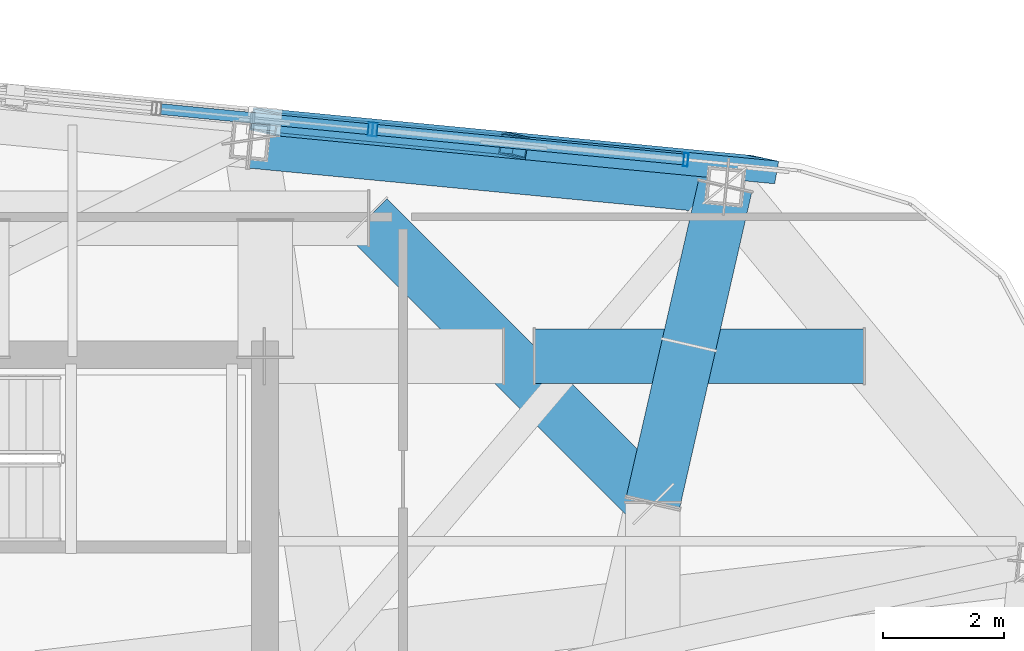
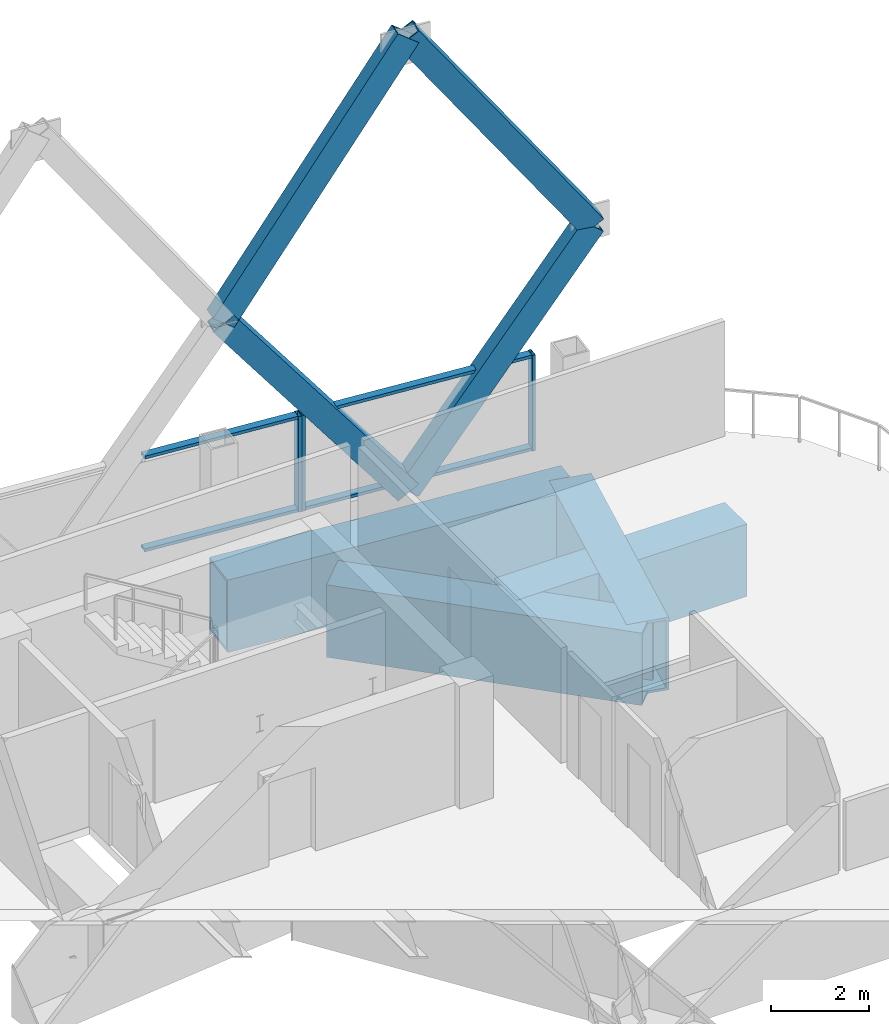
# One storey, part 22 of 31: 11 members, 4 beams, 2 elements without a shape of their own.
"""IFC4 building model written with IfcOpenShell, lengths in metres."""

from ifc_helpers import new_model, si_unit, direction, frame, origin, origin_2d, place, context, subcontext, project, spatial, hollow_rectangle, extrude, material, layer, layer_set, material_profile, profile_set, type_object, element, aggregate, save


model = new_model("IFC4")

# Units and contexts
model_context = context("Model", 3, precision=1e-05, world=origin(), true_north=direction((0.0, 1.0)))
body_context = subcontext(model_context, "Body", "Model", "MODEL_VIEW")
ifc_project = project(units=[si_unit("LENGTHUNIT", "METRE"), si_unit("AREAUNIT", "SQUARE_METRE"), si_unit("VOLUMEUNIT", "CUBIC_METRE"), si_unit("PLANEANGLEUNIT", "RADIAN"), si_unit("MASSUNIT", "GRAM", prefix="KILO")], contexts=[model_context])

# Site, building, storey
site_placement = place(None, origin())
site = spatial("IfcSite", under=ifc_project, at=site_placement, CompositionType="ELEMENT")
building_placement = place(site_placement, origin())
building = spatial("IfcBuilding", under=site, at=building_placement, Name="Qhalaya Broadcast Tower", CompositionType="ELEMENT")
storey_placement = place(building_placement, frame((0.0, 0.0, 242.85009765625)))
storey = spatial("IfcBuildingStorey", under=building, at=storey_placement, Name="L71", CompositionType="ELEMENT", Elevation=242.85009765625)

# Beams
ifc_material_1 = material(Name="Structural Steel ASTM A572 Grade 50", Category="steel")
ifc_material_profile_1 = material_profile(ifc_material_1, hollow_rectangle(XDim=0.89990234375, YDim=1.800048828125, WallThickness=0.06005859375, at=origin_2d()), Name="BOX 900x1800x60")
ifc_profile_set_1 = profile_set([ifc_material_profile_1], Name="Structural Steel ASTM A572 Grade 50")
beam_type = type_object("IfcBeamType", Name="Block Cantilever Transfer Box Girder TG1", PredefinedType="USERDEFINED", material=ifc_profile_set_1)
beam_1_placement = place(storey_placement, frame((16.962890625, 12.74853515625, -1.090087890625), z_axis=(-0.995397023367, 0.095837184179, 0.0), x_axis=(-0.095837184179, -0.995397023367, 0.0)))
element("IfcBeam", 1, at=beam_1_placement, inside=storey, type_object=beam_type, Name="L71 TG1 L71-SPR-09", ObjectType="GIRDER", PredefinedType="USERDEFINED", context=body_context, shape_type="SweptSolid", body=[
    extrude(hollow_rectangle(XDim=0.89990234375, YDim=1.800048828125, WallThickness=0.06005859375, at=origin_2d()), origin(), (0.0, 0.0, 1.0), 7.866455078125),
])
beam_2_placement = place(storey_placement, frame((15.77001953125, 7.530029296875, -1.090087890625), z_axis=(-0.707106781187, 0.707106781187, 0.0), x_axis=(-0.707106781187, -0.707106781187, 0.0)))
element("IfcBeam", 2, at=beam_2_placement, inside=storey, type_object=beam_type, Name="L71 TG1 L71-TGL-08", ObjectType="GIRDER", PredefinedType="USERDEFINED", context=body_context, shape_type="SweptSolid", body=[
    extrude(hollow_rectangle(XDim=0.89990234375, YDim=1.800048828125, WallThickness=0.06005859375, at=origin_2d()), origin(), (0.0, 0.0, 1.0), 6.646728515625),
])
beam_3_placement = place(storey_placement, frame((15.77001953125, 7.530029296875, -1.090087890625), z_axis=(0.222837185153, 0.97485567594, 0.0), x_axis=(-0.97485567594, 0.222837185153, 0.0)))
element("IfcBeam", 3, at=beam_3_placement, inside=storey, type_object=beam_type, Name="L71 Cantilever Transfer Box Girder 09", ObjectType="GIRDER", PredefinedType="USERDEFINED", context=body_context, shape_type="SweptSolid", body=[
    extrude(hollow_rectangle(XDim=0.89990234375, YDim=1.800048828125, WallThickness=0.06005859375, at=origin_2d()), origin(), (0.0, 0.0, 1.0), 5.35302734375),
])
beam_4_placement = place(storey_placement, frame((13.830810546875, 9.949951171875, -1.090087890625), z_axis=(1.0, 0.0, 0.0), x_axis=(0.0, 1.0, 0.0)))
element("IfcBeam", 4, at=beam_4_placement, inside=storey, type_object=beam_type, Name="L71 TG1 L71-PGYE4-OV1", ObjectType="GIRDER", PredefinedType="USERDEFINED", context=body_context, shape_type="SweptSolid", body=[
    extrude(hollow_rectangle(XDim=0.89990234375, YDim=1.800048828125, WallThickness=0.06005859375, at=origin_2d()), origin(), (0.0, 0.0, 1.0), 5.4130859375),
])

# Members
ifc_material_profile_2 = material_profile(ifc_material_1, hollow_rectangle(XDim=0.3798828125, YDim=0.550048828125, WallThickness=0.02490234375, at=origin_2d()), Name="BOX 380x550x25")
ifc_profile_set_2 = profile_set([ifc_material_profile_2], Name="Structural Steel ASTM A572 Grade 50")
member_type_1 = type_object("IfcMemberType", Name="Exoskeleton Diamond Diagonal Upper EX4", PredefinedType="BRACE", material=ifc_profile_set_2)
for number, where, z_axis, x_axis, name in (
    (5, (13.478515625, 13.425537109375, 0.35986328125), (0.605362942159, -0.058301925892, 0.793811434597), (0.171157163881, 0.983517925101, -0.058289932722), "B6 Exoskeleton Diamond Brace N1-D1"),
    (6, (13.478515625, 13.425537109375, 0.35986328125), (-0.605362942159, 0.058301925892, 0.793811434597), (-0.171157163881, -0.983517925101, -0.058289932722), "B6 Exoskeleton Diamond Brace N1-D2"),
):
    element("IfcMember", number, at=place(storey_placement, frame(where, z_axis=z_axis, x_axis=x_axis)), inside=storey, type_object=member_type_1, Name=name, PredefinedType="BRACE", context=body_context, shape_type="SweptSolid", body=[
        extrude(hollow_rectangle(XDim=0.3798828125, YDim=0.550048828125, WallThickness=0.02490234375, at=origin_2d()), origin(), (0.0, 0.0, 1.0), 6.79638671875),
    ])
for number, where, z_axis, x_axis, name in (
    (7, (17.5927734375, 13.029296875, 5.7548828125), (-0.572753444041, 0.055161336321, 0.817869622443), (-0.173452418829, -0.983296871293, -0.055149989195), "B6 Exoskeleton Diamond Brace N1-D3"),
    (8, (9.3642578125, 13.82177734375, 5.7548828125), (0.572753444041, -0.055161336321, 0.817869622443), (0.173452418829, 0.983296871293, -0.055149989195), "B6 Exoskeleton Diamond Brace N1-D4"),
):
    element("IfcMember", number, at=place(storey_placement, frame(where, z_axis=z_axis, x_axis=x_axis)), inside=storey, type_object=member_type_1, Name=name, PredefinedType="BRACE", context=body_context, shape_type="SweptSolid", body=[
        extrude(hollow_rectangle(XDim=0.3798828125, YDim=0.550048828125, WallThickness=0.02490234375, at=origin_2d()), origin(), (0.0, 0.0, 1.0), 7.183349609375),
    ])

# Curtain wall, members
ifc_material_2 = material(Name="Fired Architectural Terracotta", Category="masonry")
ifc_layer_1 = layer(ifc_material_2, 0.219970703125, Name="Fired Architectural Terracotta")
ifc_layer_set_1 = layer_set([ifc_layer_1], Name="Fired Architectural Terracotta")
curtain_wall_type_1 = type_object("IfcCurtainWallType", Name="Block-Cap Unitised Terracotta Spandrel Wall CW-07", PredefinedType="NOTDEFINED", material=ifc_layer_set_1)
curtain_wall_1_placement = place(storey_placement, origin())
curtain_wall_1 = element("IfcCurtainWall", 9, at=curtain_wall_1_placement, inside=storey, type_object=curtain_wall_type_1, Name="L71 Unitised Curtain Wall L71-CW-N1", PredefinedType="NOTDEFINED")
ifc_material_3 = material(Name="Anodised Aluminium 6063-T6", Category="aluminium")
ifc_material_profile_3 = material_profile(ifc_material_3, hollow_rectangle(XDim=0.074951171875, YDim=0.219970703125, WallThickness=0.00390625, at=origin_2d()), Name="ALU-MUL 75x220x4")
ifc_profile_set_3 = profile_set([ifc_material_profile_3], Name="Anodised Aluminium 6063-T6")
member_type_2 = type_object("IfcMemberType", Name="Unitised Curtain-Wall Mullion M01", PredefinedType="MULLION", material=ifc_profile_set_3)
member_1_placement = place(storey_placement, frame((16.315185546875, 13.192626953125, 0.47998046875), z_axis=(0.0, 0.0, 1.0), x_axis=(-0.995395942778, 0.095848406879, 0.0)))
member_1 = element("IfcMember", 10, at=member_1_placement, type_object=member_type_2, Name="CW-07 mullion 1", PredefinedType="MULLION", context=body_context, shape_type="SweptSolid", body=[
    extrude(hollow_rectangle(XDim=0.074951171875, YDim=0.219970703125, WallThickness=0.00390625, at=origin_2d()), origin(), (0.0, 0.0, 1.0), 2.3798828125),
])
member_2_placement = place(storey_placement, frame((11.187744140625, 13.686279296875, 0.47998046875), z_axis=(0.0, 0.0, 1.0), x_axis=(-0.995395942778, 0.095848406879, 0.0)))
member_2 = element("IfcMember", 11, at=member_2_placement, type_object=member_type_2, Name="CW-07 mullion 2", PredefinedType="MULLION", context=body_context, shape_type="SweptSolid", body=[
    extrude(hollow_rectangle(XDim=0.074951171875, YDim=0.219970703125, WallThickness=0.00390625, at=origin_2d()), origin(), (0.0, 0.0, 1.0), 2.3798828125),
])

# Curtain wall, member
ifc_material_4 = material(Name="Solar-Control Low-E Triple Glazing", Category="glass")
ifc_layer_2 = layer(ifc_material_4, 0.219970703125, Name="Solar-Control Low-E Triple Glazing")
ifc_layer_set_2 = layer_set([ifc_layer_2], Name="Solar-Control Low-E Triple Glazing")
curtain_wall_type_2 = type_object("IfcCurtainWallType", Name="High-Altitude Upper-Shaft Triple Low-E Curtain Wall CW-04", PredefinedType="NOTDEFINED", material=ifc_layer_set_2)
curtain_wall_2_placement = place(storey_placement, origin())
curtain_wall_2 = element("IfcCurtainWall", 12, at=curtain_wall_2_placement, inside=storey, type_object=curtain_wall_type_2, Name="L71 Unitised Curtain Wall L71-CW-N2", PredefinedType="NOTDEFINED")
member_3_placement = place(storey_placement, frame((11.11328125, 13.693603515625, 0.47998046875), z_axis=(0.0, 0.0, 1.0), x_axis=(-0.995397049282, 0.095836915023, 0.0)))
member_3 = element("IfcMember", 13, at=member_3_placement, type_object=member_type_2, Name="CW-04 mullion 1", PredefinedType="MULLION", context=body_context, shape_type="SweptSolid", body=[
    extrude(hollow_rectangle(XDim=0.074951171875, YDim=0.219970703125, WallThickness=0.00390625, at=origin_2d()), origin(), (0.0, 0.0, 1.0), 2.3798828125),
])

# Member
ifc_material_profile_4 = material_profile(ifc_material_3, hollow_rectangle(XDim=0.074951171875, YDim=0.179931640625, WallThickness=0.00390625, at=origin_2d()), Name="ALU-TRN 75x180x4")
ifc_profile_set_4 = profile_set([ifc_material_profile_4], Name="Anodised Aluminium 6063-T6")
member_type_3 = type_object("IfcMemberType", Name="Unitised Curtain-Wall Transom T01", PredefinedType="USERDEFINED", material=ifc_profile_set_4)
member_4_placement = place(storey_placement, frame((16.27783203125, 13.1962890625, 0.517333984375), z_axis=(-0.995399859991, 0.095807717487, 0.0), x_axis=(0.0, 0.0, 1.0)))
member_4 = element("IfcMember", 14, at=member_4_placement, type_object=member_type_3, Name="CW-07 transom 1.1", ObjectType="TRANSOM", PredefinedType="USERDEFINED", context=body_context, shape_type="SweptSolid", body=[
    extrude(hollow_rectangle(XDim=0.074951171875, YDim=0.179931640625, WallThickness=0.00390625, at=origin_2d()), origin(), (0.0, 0.0, 1.0), 5.076171875),
])

member_5_placement = place(storey_placement, frame((16.27783203125, 13.1962890625, 2.822509765625), z_axis=(-0.995399859991, 0.095807717487, 0.0), x_axis=(0.0, 0.0, 1.0)))
member_5 = element("IfcMember", 15, at=member_5_placement, type_object=member_type_3, Name="CW-07 transom 1.2", ObjectType="TRANSOM", PredefinedType="USERDEFINED", context=body_context, shape_type="SweptSolid", body=[
    extrude(hollow_rectangle(XDim=0.074951171875, YDim=0.179931640625, WallThickness=0.00390625, at=origin_2d()), origin(), (0.0, 0.0, 1.0), 5.076171875),
])

aggregate(curtain_wall_1, [member_1, member_2, member_4, member_5])

member_6_placement = place(storey_placement, frame((11.075927734375, 13.697021484375, 0.517333984375), z_axis=(-0.995396113477, 0.095846634131, 0.0), x_axis=(0.0, 0.0, 1.0)))
member_6 = element("IfcMember", 16, at=member_6_placement, type_object=member_type_3, Name="CW-04 transom 1.1", ObjectType="TRANSOM", PredefinedType="USERDEFINED", context=body_context, shape_type="SweptSolid", body=[
    extrude(hollow_rectangle(XDim=0.074951171875, YDim=0.179931640625, WallThickness=0.00390625, at=origin_2d()), origin(), (0.0, 0.0, 1.0), 3.43115234375),
])

member_7_placement = place(storey_placement, frame((11.075927734375, 13.697021484375, 2.822509765625), z_axis=(-0.995396113477, 0.095846634131, 0.0), x_axis=(0.0, 0.0, 1.0)))
member_7 = element("IfcMember", 17, at=member_7_placement, type_object=member_type_3, Name="CW-04 transom 1.2", ObjectType="TRANSOM", PredefinedType="USERDEFINED", context=body_context, shape_type="SweptSolid", body=[
    extrude(hollow_rectangle(XDim=0.074951171875, YDim=0.179931640625, WallThickness=0.00390625, at=origin_2d()), origin(), (0.0, 0.0, 1.0), 3.43115234375),
])

aggregate(curtain_wall_2, [member_3, member_6, member_7])

save(model, "model.ifc")
